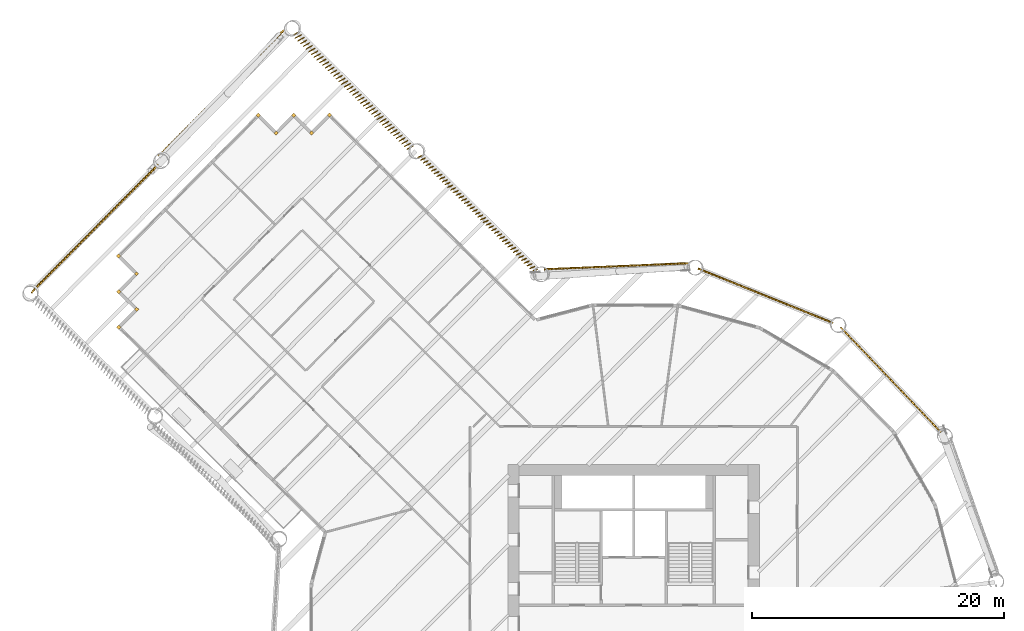
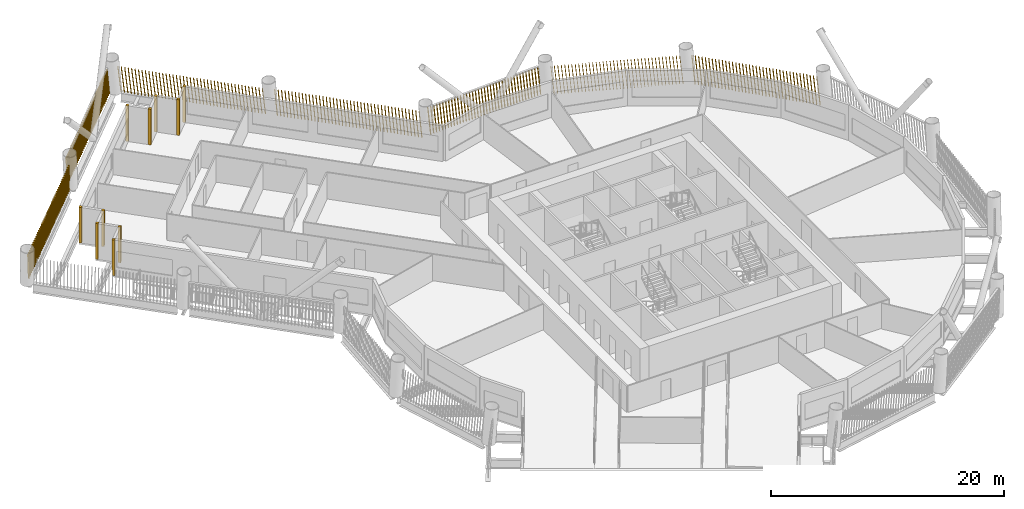
# One storey, part 21 of 22: 17 shading devices.
"""IFC4 building model written with IfcOpenShell, lengths in metres."""

from ifc_helpers import new_model, si_unit, direction, frame, frame_2d, origin, origin_2d, place, context, subcontext, project, spatial, rectangle, composite_profile, extrude, material, type_object, element, save


model = new_model("IFC4")

# Units and contexts
model_context = context("Model", 3, precision=1e-05, world=origin(), true_north=direction((0.0, 1.0)))
body_context = subcontext(model_context, "Body", "Model", "MODEL_VIEW")
ifc_project = project(units=[si_unit("LENGTHUNIT", "METRE"), si_unit("AREAUNIT", "SQUARE_METRE"), si_unit("VOLUMEUNIT", "CUBIC_METRE"), si_unit("PLANEANGLEUNIT", "RADIAN"), si_unit("MASSUNIT", "GRAM", prefix="KILO")], contexts=[model_context])

# Site, building, storey
site_placement = place(None, origin())
site = spatial("IfcSite", under=ifc_project, at=site_placement, CompositionType="ELEMENT")
building_placement = place(site_placement, origin())
building = spatial("IfcBuilding", under=site, at=building_placement, Name="Tarsis Ring Headquarters", CompositionType="ELEMENT")
storey_placement = place(building_placement, frame((0.0, 0.0, 79.0)))
storey = spatial("IfcBuildingStorey", under=building, at=storey_placement, Name="L17", CompositionType="ELEMENT", Elevation=79.0)

# Shading devices
ifc_material = material(Name="Terracotta baguette", Category="masonry")
shading_device_type_1 = type_object("IfcShadingDeviceType", Name="Terracotta baguette screen", PredefinedType="USERDEFINED", material=ifc_material)
shading_device_1_placement = place(storey_placement, frame((24.4111328125, 15.5576171875, 0.0), z_axis=(0.0, 0.0, 1.0), x_axis=(-0.691068909387, 0.722799782963, 0.0)))
element("IfcShadingDevice", 1, at=shading_device_1_placement, inside=storey, type_object=shading_device_type_1, Name="Baguette screen L17-12", ObjectType="Terracotta baguette screen", PredefinedType="USERDEFINED", context=body_context, shape_type="SweptSolid", body=[
    extrude(composite_profile([rectangle(XDim=0.06005859375, YDim=0.1201171875, at=frame_2d((0.030029296875, 0.0))), rectangle(XDim=0.06005859375, YDim=0.1201171875, at=frame_2d((0.33251953125, 0.0))), rectangle(XDim=0.06005859375, YDim=0.1201171875, at=frame_2d((0.634765625, 0.0))), rectangle(XDim=0.06005859375, YDim=0.1201171875, at=frame_2d((0.937255859375, 0.0))), rectangle(XDim=0.06005859375, YDim=0.1201171875, at=frame_2d((1.239501953125, 0.0))), rectangle(XDim=0.06005859375, YDim=0.1201171875, at=frame_2d((1.5419921875, 0.0))), rectangle(XDim=0.06005859375, YDim=0.1201171875, at=frame_2d((1.844482421875, 0.0))), rectangle(XDim=0.06005859375, YDim=0.1201171875, at=frame_2d((2.146728515625, 0.0))), rectangle(XDim=0.06005859375, YDim=0.1201171875, at=frame_2d((2.44921875, 0.0))), rectangle(XDim=0.06005859375, YDim=0.1201171875, at=frame_2d((2.751708984375, 0.0))), rectangle(XDim=0.06005859375, YDim=0.1201171875, at=frame_2d((3.053955078125, 0.0))), rectangle(XDim=0.06005859375, YDim=0.1201171875, at=frame_2d((3.3564453125, 0.0))), rectangle(XDim=0.06005859375, YDim=0.1201171875, at=frame_2d((3.65869140625, 0.0))), rectangle(XDim=0.06005859375, YDim=0.1201171875, at=frame_2d((3.961181640625, 0.0))), rectangle(XDim=0.06005859375, YDim=0.1201171875, at=frame_2d((4.263671875, 0.0))), rectangle(XDim=0.06005859375, YDim=0.1201171875, at=frame_2d((4.56591796875, 0.0))), rectangle(XDim=0.06005859375, YDim=0.1201171875, at=frame_2d((4.868408203125, 0.0))), rectangle(XDim=0.06005859375, YDim=0.1201171875, at=frame_2d((5.1708984375, 0.0))), rectangle(XDim=0.06005859375, YDim=0.1201171875, at=frame_2d((5.47314453125, 0.0))), rectangle(XDim=0.06005859375, YDim=0.1201171875, at=frame_2d((5.775634765625, 0.0))), rectangle(XDim=0.06005859375, YDim=0.1201171875, at=frame_2d((6.077880859375, 0.0))), rectangle(XDim=0.06005859375, YDim=0.1201171875, at=frame_2d((6.38037109375, 0.0))), rectangle(XDim=0.06005859375, YDim=0.1201171875, at=frame_2d((6.682861328125, 0.0))), rectangle(XDim=0.06005859375, YDim=0.1201171875, at=frame_2d((6.985107421875, 0.0))), rectangle(XDim=0.06005859375, YDim=0.1201171875, at=frame_2d((7.28759765625, 0.0))), rectangle(XDim=0.06005859375, YDim=0.1201171875, at=frame_2d((7.590087890625, 0.0))), rectangle(XDim=0.06005859375, YDim=0.1201171875, at=frame_2d((7.892333984375, 0.0))), rectangle(XDim=0.06005859375, YDim=0.1201171875, at=frame_2d((8.19482421875, 0.0))), rectangle(XDim=0.06005859375, YDim=0.1201171875, at=frame_2d((8.4970703125, 0.0))), rectangle(XDim=0.06005859375, YDim=0.1201171875, at=frame_2d((8.799560546875, 0.0))), rectangle(XDim=0.06005859375, YDim=0.1201171875, at=frame_2d((9.10205078125, 0.0))), rectangle(XDim=0.06005859375, YDim=0.1201171875, at=frame_2d((9.404296875, 0.0))), rectangle(XDim=0.06005859375, YDim=0.1201171875, at=frame_2d((9.706787109375, 0.0))), rectangle(XDim=0.06005859375, YDim=0.1201171875, at=frame_2d((10.00927734375, 0.0))), rectangle(XDim=0.06005859375, YDim=0.1201171875, at=frame_2d((10.3115234375, 0.0))), rectangle(XDim=0.06005859375, YDim=0.1201171875, at=frame_2d((10.614013671875, 0.0))), rectangle(XDim=0.06005859375, YDim=0.1201171875, at=frame_2d((10.916259765625, 0.0))), rectangle(XDim=0.06005859375, YDim=0.1201171875, at=frame_2d((11.21875, 0.0)))]), origin(), (0.100201292195, 0.000523435059, 0.994967048227), 2.967529296875),
])
shading_device_2_placement = place(storey_placement, frame((15.828369140625, 24.236572265625, 0.0), z_axis=(0.0, 0.0, 1.0), x_axis=(-0.927554475215, 0.373686951992, 0.0)))
element("IfcShadingDevice", 2, at=shading_device_2_placement, inside=storey, type_object=shading_device_type_1, Name="Baguette screen L17-13", ObjectType="Terracotta baguette screen", PredefinedType="USERDEFINED", context=body_context, shape_type="SweptSolid", body=[
    extrude(composite_profile([rectangle(XDim=0.06005859375, YDim=0.1201171875, at=frame_2d((0.030029296875, 0.0))), rectangle(XDim=0.06005859375, YDim=0.1201171875, at=frame_2d((0.33251953125, 0.0))), rectangle(XDim=0.06005859375, YDim=0.1201171875, at=frame_2d((0.634765625, 0.0))), rectangle(XDim=0.06005859375, YDim=0.1201171875, at=frame_2d((0.937255859375, 0.0))), rectangle(XDim=0.06005859375, YDim=0.1201171875, at=frame_2d((1.239501953125, 0.0))), rectangle(XDim=0.06005859375, YDim=0.1201171875, at=frame_2d((1.5419921875, 0.0))), rectangle(XDim=0.06005859375, YDim=0.1201171875, at=frame_2d((1.844482421875, 0.0))), rectangle(XDim=0.06005859375, YDim=0.1201171875, at=frame_2d((2.146728515625, 0.0))), rectangle(XDim=0.06005859375, YDim=0.1201171875, at=frame_2d((2.44921875, 0.0))), rectangle(XDim=0.06005859375, YDim=0.1201171875, at=frame_2d((2.751708984375, 0.0))), rectangle(XDim=0.06005859375, YDim=0.1201171875, at=frame_2d((3.053955078125, 0.0))), rectangle(XDim=0.06005859375, YDim=0.1201171875, at=frame_2d((3.3564453125, 0.0))), rectangle(XDim=0.06005859375, YDim=0.1201171875, at=frame_2d((3.65869140625, 0.0))), rectangle(XDim=0.06005859375, YDim=0.1201171875, at=frame_2d((3.961181640625, 0.0))), rectangle(XDim=0.06005859375, YDim=0.1201171875, at=frame_2d((4.263671875, 0.0))), rectangle(XDim=0.06005859375, YDim=0.1201171875, at=frame_2d((4.56591796875, 0.0))), rectangle(XDim=0.06005859375, YDim=0.1201171875, at=frame_2d((4.868408203125, 0.0))), rectangle(XDim=0.06005859375, YDim=0.1201171875, at=frame_2d((5.1708984375, 0.0))), rectangle(XDim=0.06005859375, YDim=0.1201171875, at=frame_2d((5.47314453125, 0.0))), rectangle(XDim=0.06005859375, YDim=0.1201171875, at=frame_2d((5.775634765625, 0.0))), rectangle(XDim=0.06005859375, YDim=0.1201171875, at=frame_2d((6.077880859375, 0.0))), rectangle(XDim=0.06005859375, YDim=0.1201171875, at=frame_2d((6.38037109375, 0.0))), rectangle(XDim=0.06005859375, YDim=0.1201171875, at=frame_2d((6.682861328125, 0.0))), rectangle(XDim=0.06005859375, YDim=0.1201171875, at=frame_2d((6.985107421875, 0.0))), rectangle(XDim=0.06005859375, YDim=0.1201171875, at=frame_2d((7.28759765625, 0.0))), rectangle(XDim=0.06005859375, YDim=0.1201171875, at=frame_2d((7.590087890625, 0.0))), rectangle(XDim=0.06005859375, YDim=0.1201171875, at=frame_2d((7.892333984375, 0.0))), rectangle(XDim=0.06005859375, YDim=0.1201171875, at=frame_2d((8.19482421875, 0.0))), rectangle(XDim=0.06005859375, YDim=0.1201171875, at=frame_2d((8.4970703125, 0.0))), rectangle(XDim=0.06005859375, YDim=0.1201171875, at=frame_2d((8.799560546875, 0.0))), rectangle(XDim=0.06005859375, YDim=0.1201171875, at=frame_2d((9.10205078125, 0.0))), rectangle(XDim=0.06005859375, YDim=0.1201171875, at=frame_2d((9.404296875, 0.0))), rectangle(XDim=0.06005859375, YDim=0.1201171875, at=frame_2d((9.706787109375, 0.0))), rectangle(XDim=0.06005859375, YDim=0.1201171875, at=frame_2d((10.00927734375, 0.0))), rectangle(XDim=0.06005859375, YDim=0.1201171875, at=frame_2d((10.3115234375, 0.0))), rectangle(XDim=0.06005859375, YDim=0.1201171875, at=frame_2d((10.614013671875, 0.0))), rectangle(XDim=0.06005859375, YDim=0.1201171875, at=frame_2d((10.916259765625, 0.0))), rectangle(XDim=0.06005859375, YDim=0.1201171875, at=frame_2d((11.21875, 0.0)))]), origin(), (0.100200495983, 0.000523406225, 0.994967128427), 2.967529296875),
])
shading_device_3_placement = place(storey_placement, frame((4.415283203125, 28.980712890625, 0.0), z_axis=(0.0, 0.0, 1.0), x_axis=(-0.999131850244, -0.041844818231, 0.0)))
element("IfcShadingDevice", 3, at=shading_device_3_placement, inside=storey, type_object=shading_device_type_1, Name="Baguette screen L17-14", ObjectType="Terracotta baguette screen", PredefinedType="USERDEFINED", context=body_context, shape_type="SweptSolid", body=[
    extrude(composite_profile([rectangle(XDim=0.06005859375, YDim=0.1201171875, at=frame_2d((0.030029296875, 0.0))), rectangle(XDim=0.06005859375, YDim=0.1201171875, at=frame_2d((0.33251953125, 0.0))), rectangle(XDim=0.06005859375, YDim=0.1201171875, at=frame_2d((0.634765625, 0.0))), rectangle(XDim=0.06005859375, YDim=0.1201171875, at=frame_2d((0.937255859375, 0.0))), rectangle(XDim=0.06005859375, YDim=0.1201171875, at=frame_2d((1.239501953125, 0.0))), rectangle(XDim=0.06005859375, YDim=0.1201171875, at=frame_2d((1.5419921875, 0.0))), rectangle(XDim=0.06005859375, YDim=0.1201171875, at=frame_2d((1.844482421875, 0.0))), rectangle(XDim=0.06005859375, YDim=0.1201171875, at=frame_2d((2.146728515625, 0.0))), rectangle(XDim=0.06005859375, YDim=0.1201171875, at=frame_2d((2.44921875, 0.0))), rectangle(XDim=0.06005859375, YDim=0.1201171875, at=frame_2d((2.751708984375, 0.0))), rectangle(XDim=0.06005859375, YDim=0.1201171875, at=frame_2d((3.053955078125, 0.0))), rectangle(XDim=0.06005859375, YDim=0.1201171875, at=frame_2d((3.3564453125, 0.0))), rectangle(XDim=0.06005859375, YDim=0.1201171875, at=frame_2d((3.65869140625, 0.0))), rectangle(XDim=0.06005859375, YDim=0.1201171875, at=frame_2d((3.961181640625, 0.0))), rectangle(XDim=0.06005859375, YDim=0.1201171875, at=frame_2d((4.263671875, 0.0))), rectangle(XDim=0.06005859375, YDim=0.1201171875, at=frame_2d((4.56591796875, 0.0))), rectangle(XDim=0.06005859375, YDim=0.1201171875, at=frame_2d((4.868408203125, 0.0))), rectangle(XDim=0.06005859375, YDim=0.1201171875, at=frame_2d((5.1708984375, 0.0))), rectangle(XDim=0.06005859375, YDim=0.1201171875, at=frame_2d((5.47314453125, 0.0))), rectangle(XDim=0.06005859375, YDim=0.1201171875, at=frame_2d((5.775634765625, 0.0))), rectangle(XDim=0.06005859375, YDim=0.1201171875, at=frame_2d((6.077880859375, 0.0))), rectangle(XDim=0.06005859375, YDim=0.1201171875, at=frame_2d((6.38037109375, 0.0))), rectangle(XDim=0.06005859375, YDim=0.1201171875, at=frame_2d((6.682861328125, 0.0))), rectangle(XDim=0.06005859375, YDim=0.1201171875, at=frame_2d((6.985107421875, 0.0))), rectangle(XDim=0.06005859375, YDim=0.1201171875, at=frame_2d((7.28759765625, 0.0))), rectangle(XDim=0.06005859375, YDim=0.1201171875, at=frame_2d((7.590087890625, 0.0))), rectangle(XDim=0.06005859375, YDim=0.1201171875, at=frame_2d((7.892333984375, 0.0))), rectangle(XDim=0.06005859375, YDim=0.1201171875, at=frame_2d((8.19482421875, 0.0))), rectangle(XDim=0.06005859375, YDim=0.1201171875, at=frame_2d((8.4970703125, 0.0))), rectangle(XDim=0.06005859375, YDim=0.1201171875, at=frame_2d((8.799560546875, 0.0))), rectangle(XDim=0.06005859375, YDim=0.1201171875, at=frame_2d((9.10205078125, 0.0))), rectangle(XDim=0.06005859375, YDim=0.1201171875, at=frame_2d((9.404296875, 0.0))), rectangle(XDim=0.06005859375, YDim=0.1201171875, at=frame_2d((9.706787109375, 0.0))), rectangle(XDim=0.06005859375, YDim=0.1201171875, at=frame_2d((10.00927734375, 0.0))), rectangle(XDim=0.06005859375, YDim=0.1201171875, at=frame_2d((10.3115234375, 0.0))), rectangle(XDim=0.06005859375, YDim=0.1201171875, at=frame_2d((10.614013671875, 0.0))), rectangle(XDim=0.06005859375, YDim=0.1201171875, at=frame_2d((10.916259765625, 0.0))), rectangle(XDim=0.06005859375, YDim=0.1201171875, at=frame_2d((11.21875, 0.0)))]), origin(), (0.10151095223, 0.000532192016, 0.99483427934), 2.968017578125),
])
shading_device_4_placement = place(storey_placement, frame((-7.662353515625, 28.466552734375, 0.0), z_axis=(0.0, 0.0, 1.0), x_axis=(-0.70956327581, 0.704643505904, 0.0)))
element("IfcShadingDevice", 4, at=shading_device_4_placement, inside=storey, type_object=shading_device_type_1, Name="Baguette screen L17-15", ObjectType="Terracotta baguette screen", PredefinedType="USERDEFINED", context=body_context, shape_type="SweptSolid", body=[
    extrude(composite_profile([rectangle(XDim=0.06005859375, YDim=0.1201171875, at=frame_2d((0.030029296875, 0.0))), rectangle(XDim=0.06005859375, YDim=0.1201171875, at=frame_2d((0.335693359375, 0.0))), rectangle(XDim=0.06005859375, YDim=0.1201171875, at=frame_2d((0.6416015625, 0.0))), rectangle(XDim=0.06005859375, YDim=0.1201171875, at=frame_2d((0.947265625, 0.0))), rectangle(XDim=0.06005859375, YDim=0.1201171875, at=frame_2d((1.253173828125, 0.0))), rectangle(XDim=0.06005859375, YDim=0.1201171875, at=frame_2d((1.558837890625, 0.0))), rectangle(XDim=0.06005859375, YDim=0.1201171875, at=frame_2d((1.864501953125, 0.0))), rectangle(XDim=0.06005859375, YDim=0.1201171875, at=frame_2d((2.17041015625, 0.0))), rectangle(XDim=0.06005859375, YDim=0.1201171875, at=frame_2d((2.47607421875, 0.0))), rectangle(XDim=0.06005859375, YDim=0.1201171875, at=frame_2d((2.781982421875, 0.0))), rectangle(XDim=0.06005859375, YDim=0.1201171875, at=frame_2d((3.087646484375, 0.0))), rectangle(XDim=0.06005859375, YDim=0.1201171875, at=frame_2d((3.393310546875, 0.0))), rectangle(XDim=0.06005859375, YDim=0.1201171875, at=frame_2d((3.69921875, 0.0))), rectangle(XDim=0.06005859375, YDim=0.1201171875, at=frame_2d((4.0048828125, 0.0))), rectangle(XDim=0.06005859375, YDim=0.1201171875, at=frame_2d((4.310791015625, 0.0))), rectangle(XDim=0.06005859375, YDim=0.1201171875, at=frame_2d((4.616455078125, 0.0))), rectangle(XDim=0.06005859375, YDim=0.1201171875, at=frame_2d((4.922119140625, 0.0))), rectangle(XDim=0.06005859375, YDim=0.1201171875, at=frame_2d((5.22802734375, 0.0))), rectangle(XDim=0.06005859375, YDim=0.1201171875, at=frame_2d((5.53369140625, 0.0))), rectangle(XDim=0.06005859375, YDim=0.1201171875, at=frame_2d((5.839599609375, 0.0))), rectangle(XDim=0.06005859375, YDim=0.1201171875, at=frame_2d((6.145263671875, 0.0))), rectangle(XDim=0.06005859375, YDim=0.1201171875, at=frame_2d((6.451171875, 0.0))), rectangle(XDim=0.06005859375, YDim=0.1201171875, at=frame_2d((6.7568359375, 0.0))), rectangle(XDim=0.06005859375, YDim=0.1201171875, at=frame_2d((7.0625, 0.0))), rectangle(XDim=0.06005859375, YDim=0.1201171875, at=frame_2d((7.368408203125, 0.0))), rectangle(XDim=0.06005859375, YDim=0.1201171875, at=frame_2d((7.674072265625, 0.0))), rectangle(XDim=0.06005859375, YDim=0.1201171875, at=frame_2d((7.97998046875, 0.0))), rectangle(XDim=0.06005859375, YDim=0.1201171875, at=frame_2d((8.28564453125, 0.0))), rectangle(XDim=0.06005859375, YDim=0.1201171875, at=frame_2d((8.59130859375, 0.0))), rectangle(XDim=0.06005859375, YDim=0.1201171875, at=frame_2d((8.897216796875, 0.0))), rectangle(XDim=0.06005859375, YDim=0.1201171875, at=frame_2d((9.202880859375, 0.0))), rectangle(XDim=0.06005859375, YDim=0.1201171875, at=frame_2d((9.5087890625, 0.0))), rectangle(XDim=0.06005859375, YDim=0.1201171875, at=frame_2d((9.814453125, 0.0))), rectangle(XDim=0.06005859375, YDim=0.1201171875, at=frame_2d((10.1201171875, 0.0))), rectangle(XDim=0.06005859375, YDim=0.1201171875, at=frame_2d((10.426025390625, 0.0))), rectangle(XDim=0.06005859375, YDim=0.1201171875, at=frame_2d((10.731689453125, 0.0))), rectangle(XDim=0.06005859375, YDim=0.1201171875, at=frame_2d((11.03759765625, 0.0))), rectangle(XDim=0.06005859375, YDim=0.1201171875, at=frame_2d((11.34326171875, 0.0))), rectangle(XDim=0.06005859375, YDim=0.1201171875, at=frame_2d((11.64892578125, 0.0))), rectangle(XDim=0.06005859375, YDim=0.1201171875, at=frame_2d((11.954833984375, 0.0))), rectangle(XDim=0.06005859375, YDim=0.1201171875, at=frame_2d((12.260498046875, 0.0))), rectangle(XDim=0.06005859375, YDim=0.1201171875, at=frame_2d((12.56640625, 0.0))), rectangle(XDim=0.06005859375, YDim=0.1201171875, at=frame_2d((12.8720703125, 0.0)))]), origin(), (0.051495221687, 0.112701684924, 0.992293591816), 2.9755859375),
])
shading_device_5_placement = place(storey_placement, frame((-17.52685546875, 38.2626953125, 0.0), z_axis=(0.0, 0.0, 1.0), x_axis=(-0.709576702556, 0.704637917006, 0.0)))
element("IfcShadingDevice", 5, at=shading_device_5_placement, inside=storey, type_object=shading_device_type_1, Name="Baguette screen L17-16", ObjectType="Terracotta baguette screen", PredefinedType="USERDEFINED", context=body_context, shape_type="SweptSolid", body=[
    extrude(composite_profile([rectangle(XDim=0.06005859375, YDim=0.1201171875, at=frame_2d((0.030029296875, 0.0))), rectangle(XDim=0.06005859375, YDim=0.1201171875, at=frame_2d((0.335693359375, 0.0))), rectangle(XDim=0.06005859375, YDim=0.1201171875, at=frame_2d((0.6416015625, 0.0))), rectangle(XDim=0.06005859375, YDim=0.1201171875, at=frame_2d((0.947265625, 0.0))), rectangle(XDim=0.06005859375, YDim=0.1201171875, at=frame_2d((1.253173828125, 0.0))), rectangle(XDim=0.06005859375, YDim=0.1201171875, at=frame_2d((1.558837890625, 0.0))), rectangle(XDim=0.06005859375, YDim=0.1201171875, at=frame_2d((1.864501953125, 0.0))), rectangle(XDim=0.06005859375, YDim=0.1201171875, at=frame_2d((2.17041015625, 0.0))), rectangle(XDim=0.06005859375, YDim=0.1201171875, at=frame_2d((2.47607421875, 0.0))), rectangle(XDim=0.06005859375, YDim=0.1201171875, at=frame_2d((2.781982421875, 0.0))), rectangle(XDim=0.06005859375, YDim=0.1201171875, at=frame_2d((3.087646484375, 0.0))), rectangle(XDim=0.06005859375, YDim=0.1201171875, at=frame_2d((3.393310546875, 0.0))), rectangle(XDim=0.06005859375, YDim=0.1201171875, at=frame_2d((3.69921875, 0.0))), rectangle(XDim=0.06005859375, YDim=0.1201171875, at=frame_2d((4.0048828125, 0.0))), rectangle(XDim=0.06005859375, YDim=0.1201171875, at=frame_2d((4.310791015625, 0.0))), rectangle(XDim=0.06005859375, YDim=0.1201171875, at=frame_2d((4.616455078125, 0.0))), rectangle(XDim=0.06005859375, YDim=0.1201171875, at=frame_2d((4.922119140625, 0.0))), rectangle(XDim=0.06005859375, YDim=0.1201171875, at=frame_2d((5.22802734375, 0.0))), rectangle(XDim=0.06005859375, YDim=0.1201171875, at=frame_2d((5.53369140625, 0.0))), rectangle(XDim=0.06005859375, YDim=0.1201171875, at=frame_2d((5.839599609375, 0.0))), rectangle(XDim=0.06005859375, YDim=0.1201171875, at=frame_2d((6.145263671875, 0.0))), rectangle(XDim=0.06005859375, YDim=0.1201171875, at=frame_2d((6.451171875, 0.0))), rectangle(XDim=0.06005859375, YDim=0.1201171875, at=frame_2d((6.7568359375, 0.0))), rectangle(XDim=0.06005859375, YDim=0.1201171875, at=frame_2d((7.0625, 0.0))), rectangle(XDim=0.06005859375, YDim=0.1201171875, at=frame_2d((7.368408203125, 0.0))), rectangle(XDim=0.06005859375, YDim=0.1201171875, at=frame_2d((7.674072265625, 0.0))), rectangle(XDim=0.06005859375, YDim=0.1201171875, at=frame_2d((7.97998046875, 0.0))), rectangle(XDim=0.06005859375, YDim=0.1201171875, at=frame_2d((8.28564453125, 0.0))), rectangle(XDim=0.06005859375, YDim=0.1201171875, at=frame_2d((8.59130859375, 0.0))), rectangle(XDim=0.06005859375, YDim=0.1201171875, at=frame_2d((8.897216796875, 0.0))), rectangle(XDim=0.06005859375, YDim=0.1201171875, at=frame_2d((9.202880859375, 0.0))), rectangle(XDim=0.06005859375, YDim=0.1201171875, at=frame_2d((9.5087890625, 0.0))), rectangle(XDim=0.06005859375, YDim=0.1201171875, at=frame_2d((9.814453125, 0.0))), rectangle(XDim=0.06005859375, YDim=0.1201171875, at=frame_2d((10.1201171875, 0.0))), rectangle(XDim=0.06005859375, YDim=0.1201171875, at=frame_2d((10.426025390625, 0.0))), rectangle(XDim=0.06005859375, YDim=0.1201171875, at=frame_2d((10.731689453125, 0.0))), rectangle(XDim=0.06005859375, YDim=0.1201171875, at=frame_2d((11.03759765625, 0.0))), rectangle(XDim=0.06005859375, YDim=0.1201171875, at=frame_2d((11.34326171875, 0.0))), rectangle(XDim=0.06005859375, YDim=0.1201171875, at=frame_2d((11.64892578125, 0.0))), rectangle(XDim=0.06005859375, YDim=0.1201171875, at=frame_2d((11.954833984375, 0.0))), rectangle(XDim=0.06005859375, YDim=0.1201171875, at=frame_2d((12.260498046875, 0.0))), rectangle(XDim=0.06005859375, YDim=0.1201171875, at=frame_2d((12.56640625, 0.0))), rectangle(XDim=0.06005859375, YDim=0.1201171875, at=frame_2d((12.8720703125, 0.0)))]), origin(), (0.050900816045, 0.160555713083, 0.985713431948), 2.995361328125),
])
shading_device_6_placement = place(storey_placement, frame((-27.6552734375, 47.61572265625, 0.0), z_axis=(0.0, 0.0, 1.0), x_axis=(-0.704638737527, -0.709574693935, 0.0)))
element("IfcShadingDevice", 6, at=shading_device_6_placement, inside=storey, type_object=shading_device_type_1, Name="Baguette screen L17-17", ObjectType="Terracotta baguette screen", PredefinedType="USERDEFINED", context=body_context, shape_type="SweptSolid", body=[
    extrude(composite_profile([rectangle(XDim=0.06005859375, YDim=0.1201171875, at=frame_2d((0.030029296875, 0.0))), rectangle(XDim=0.06005859375, YDim=0.1201171875, at=frame_2d((0.33544921875, 0.0))), rectangle(XDim=0.06005859375, YDim=0.1201171875, at=frame_2d((0.640625, 0.0))), rectangle(XDim=0.06005859375, YDim=0.1201171875, at=frame_2d((0.946044921875, 0.0))), rectangle(XDim=0.06005859375, YDim=0.1201171875, at=frame_2d((1.25146484375, 0.0))), rectangle(XDim=0.06005859375, YDim=0.1201171875, at=frame_2d((1.556640625, 0.0))), rectangle(XDim=0.06005859375, YDim=0.1201171875, at=frame_2d((1.862060546875, 0.0))), rectangle(XDim=0.06005859375, YDim=0.1201171875, at=frame_2d((2.16748046875, 0.0))), rectangle(XDim=0.06005859375, YDim=0.1201171875, at=frame_2d((2.47265625, 0.0))), rectangle(XDim=0.06005859375, YDim=0.1201171875, at=frame_2d((2.778076171875, 0.0))), rectangle(XDim=0.06005859375, YDim=0.1201171875, at=frame_2d((3.08349609375, 0.0))), rectangle(XDim=0.06005859375, YDim=0.1201171875, at=frame_2d((3.388671875, 0.0))), rectangle(XDim=0.06005859375, YDim=0.1201171875, at=frame_2d((3.694091796875, 0.0))), rectangle(XDim=0.06005859375, YDim=0.1201171875, at=frame_2d((3.99951171875, 0.0))), rectangle(XDim=0.06005859375, YDim=0.1201171875, at=frame_2d((4.3046875, 0.0))), rectangle(XDim=0.06005859375, YDim=0.1201171875, at=frame_2d((4.610107421875, 0.0))), rectangle(XDim=0.06005859375, YDim=0.1201171875, at=frame_2d((4.91552734375, 0.0))), rectangle(XDim=0.06005859375, YDim=0.1201171875, at=frame_2d((5.220703125, 0.0))), rectangle(XDim=0.06005859375, YDim=0.1201171875, at=frame_2d((5.526123046875, 0.0))), rectangle(XDim=0.06005859375, YDim=0.1201171875, at=frame_2d((5.83154296875, 0.0))), rectangle(XDim=0.06005859375, YDim=0.1201171875, at=frame_2d((6.13671875, 0.0))), rectangle(XDim=0.06005859375, YDim=0.1201171875, at=frame_2d((6.442138671875, 0.0))), rectangle(XDim=0.06005859375, YDim=0.1201171875, at=frame_2d((6.74755859375, 0.0))), rectangle(XDim=0.06005859375, YDim=0.1201171875, at=frame_2d((7.052734375, 0.0))), rectangle(XDim=0.06005859375, YDim=0.1201171875, at=frame_2d((7.358154296875, 0.0))), rectangle(XDim=0.06005859375, YDim=0.1201171875, at=frame_2d((7.66357421875, 0.0))), rectangle(XDim=0.06005859375, YDim=0.1201171875, at=frame_2d((7.96875, 0.0))), rectangle(XDim=0.06005859375, YDim=0.1201171875, at=frame_2d((8.274169921875, 0.0))), rectangle(XDim=0.06005859375, YDim=0.1201171875, at=frame_2d((8.57958984375, 0.0))), rectangle(XDim=0.06005859375, YDim=0.1201171875, at=frame_2d((8.884765625, 0.0))), rectangle(XDim=0.06005859375, YDim=0.1201171875, at=frame_2d((9.190185546875, 0.0))), rectangle(XDim=0.06005859375, YDim=0.1201171875, at=frame_2d((9.49560546875, 0.0))), rectangle(XDim=0.06005859375, YDim=0.1201171875, at=frame_2d((9.80078125, 0.0))), rectangle(XDim=0.06005859375, YDim=0.1201171875, at=frame_2d((10.106201171875, 0.0))), rectangle(XDim=0.06005859375, YDim=0.1201171875, at=frame_2d((10.41162109375, 0.0))), rectangle(XDim=0.06005859375, YDim=0.1201171875, at=frame_2d((10.716796875, 0.0))), rectangle(XDim=0.06005859375, YDim=0.1201171875, at=frame_2d((11.022216796875, 0.0))), rectangle(XDim=0.06005859375, YDim=0.1201171875, at=frame_2d((11.32763671875, 0.0))), rectangle(XDim=0.06005859375, YDim=0.1201171875, at=frame_2d((11.6328125, 0.0))), rectangle(XDim=0.06005859375, YDim=0.1201171875, at=frame_2d((11.938232421875, 0.0))), rectangle(XDim=0.06005859375, YDim=0.1201171875, at=frame_2d((12.24365234375, 0.0))), rectangle(XDim=0.06005859375, YDim=0.1201171875, at=frame_2d((12.548828125, 0.0))), rectangle(XDim=0.06005859375, YDim=0.1201171875, at=frame_2d((12.854248046875, 0.0))), rectangle(XDim=0.06005859375, YDim=0.1201171875, at=frame_2d((13.15966796875, 0.0))), rectangle(XDim=0.06005859375, YDim=0.1201171875, at=frame_2d((13.46484375, 0.0))), rectangle(XDim=0.06005859375, YDim=0.1201171875, at=frame_2d((13.770263671875, 0.0)))]), origin(), (0.185397180693, -0.024811733001, 0.982350377053), 3.005615234375),
])
shading_device_7_placement = place(storey_placement, frame((-37.817626953125, 36.849853515625, 0.0), z_axis=(0.0, 0.0, 1.0), x_axis=(-0.704638737527, -0.709574693935, 0.0)))
element("IfcShadingDevice", 7, at=shading_device_7_placement, inside=storey, type_object=shading_device_type_1, Name="Baguette screen L17-18", ObjectType="Terracotta baguette screen", PredefinedType="USERDEFINED", context=body_context, shape_type="SweptSolid", body=[
    extrude(composite_profile([rectangle(XDim=0.06005859375, YDim=0.1201171875, at=frame_2d((0.030029296875, 0.0))), rectangle(XDim=0.06005859375, YDim=0.1201171875, at=frame_2d((0.33544921875, 0.0))), rectangle(XDim=0.06005859375, YDim=0.1201171875, at=frame_2d((0.640625, 0.0))), rectangle(XDim=0.06005859375, YDim=0.1201171875, at=frame_2d((0.946044921875, 0.0))), rectangle(XDim=0.06005859375, YDim=0.1201171875, at=frame_2d((1.25146484375, 0.0))), rectangle(XDim=0.06005859375, YDim=0.1201171875, at=frame_2d((1.556640625, 0.0))), rectangle(XDim=0.06005859375, YDim=0.1201171875, at=frame_2d((1.862060546875, 0.0))), rectangle(XDim=0.06005859375, YDim=0.1201171875, at=frame_2d((2.16748046875, 0.0))), rectangle(XDim=0.06005859375, YDim=0.1201171875, at=frame_2d((2.47265625, 0.0))), rectangle(XDim=0.06005859375, YDim=0.1201171875, at=frame_2d((2.778076171875, 0.0))), rectangle(XDim=0.06005859375, YDim=0.1201171875, at=frame_2d((3.08349609375, 0.0))), rectangle(XDim=0.06005859375, YDim=0.1201171875, at=frame_2d((3.388671875, 0.0))), rectangle(XDim=0.06005859375, YDim=0.1201171875, at=frame_2d((3.694091796875, 0.0))), rectangle(XDim=0.06005859375, YDim=0.1201171875, at=frame_2d((3.99951171875, 0.0))), rectangle(XDim=0.06005859375, YDim=0.1201171875, at=frame_2d((4.3046875, 0.0))), rectangle(XDim=0.06005859375, YDim=0.1201171875, at=frame_2d((4.610107421875, 0.0))), rectangle(XDim=0.06005859375, YDim=0.1201171875, at=frame_2d((4.91552734375, 0.0))), rectangle(XDim=0.06005859375, YDim=0.1201171875, at=frame_2d((5.220703125, 0.0))), rectangle(XDim=0.06005859375, YDim=0.1201171875, at=frame_2d((5.526123046875, 0.0))), rectangle(XDim=0.06005859375, YDim=0.1201171875, at=frame_2d((5.83154296875, 0.0))), rectangle(XDim=0.06005859375, YDim=0.1201171875, at=frame_2d((6.13671875, 0.0))), rectangle(XDim=0.06005859375, YDim=0.1201171875, at=frame_2d((6.442138671875, 0.0))), rectangle(XDim=0.06005859375, YDim=0.1201171875, at=frame_2d((6.74755859375, 0.0))), rectangle(XDim=0.06005859375, YDim=0.1201171875, at=frame_2d((7.052734375, 0.0))), rectangle(XDim=0.06005859375, YDim=0.1201171875, at=frame_2d((7.358154296875, 0.0))), rectangle(XDim=0.06005859375, YDim=0.1201171875, at=frame_2d((7.66357421875, 0.0))), rectangle(XDim=0.06005859375, YDim=0.1201171875, at=frame_2d((7.96875, 0.0))), rectangle(XDim=0.06005859375, YDim=0.1201171875, at=frame_2d((8.274169921875, 0.0))), rectangle(XDim=0.06005859375, YDim=0.1201171875, at=frame_2d((8.57958984375, 0.0))), rectangle(XDim=0.06005859375, YDim=0.1201171875, at=frame_2d((8.884765625, 0.0))), rectangle(XDim=0.06005859375, YDim=0.1201171875, at=frame_2d((9.190185546875, 0.0))), rectangle(XDim=0.06005859375, YDim=0.1201171875, at=frame_2d((9.49560546875, 0.0))), rectangle(XDim=0.06005859375, YDim=0.1201171875, at=frame_2d((9.80078125, 0.0))), rectangle(XDim=0.06005859375, YDim=0.1201171875, at=frame_2d((10.106201171875, 0.0))), rectangle(XDim=0.06005859375, YDim=0.1201171875, at=frame_2d((10.41162109375, 0.0))), rectangle(XDim=0.06005859375, YDim=0.1201171875, at=frame_2d((10.716796875, 0.0))), rectangle(XDim=0.06005859375, YDim=0.1201171875, at=frame_2d((11.022216796875, 0.0))), rectangle(XDim=0.06005859375, YDim=0.1201171875, at=frame_2d((11.32763671875, 0.0))), rectangle(XDim=0.06005859375, YDim=0.1201171875, at=frame_2d((11.6328125, 0.0))), rectangle(XDim=0.06005859375, YDim=0.1201171875, at=frame_2d((11.938232421875, 0.0))), rectangle(XDim=0.06005859375, YDim=0.1201171875, at=frame_2d((12.24365234375, 0.0))), rectangle(XDim=0.06005859375, YDim=0.1201171875, at=frame_2d((12.548828125, 0.0))), rectangle(XDim=0.06005859375, YDim=0.1201171875, at=frame_2d((12.854248046875, 0.0))), rectangle(XDim=0.06005859375, YDim=0.1201171875, at=frame_2d((13.15966796875, 0.0))), rectangle(XDim=0.06005859375, YDim=0.1201171875, at=frame_2d((13.46484375, 0.0))), rectangle(XDim=0.06005859375, YDim=0.1201171875, at=frame_2d((13.770263671875, 0.0)))]), origin(), (0.18386503511, 0.026751164001, 0.98258741295), 3.0048828125),
])
shading_device_type_2 = type_object("IfcShadingDeviceType", Name="Terracotta corner baguette 250x250", PredefinedType="USERDEFINED", material=ifc_material)
for number, where, z_axis, x_axis, name in (
    (8, (-40.919189453125, 23.89892578125, 0.0), (0.0, 0.0, 1.0), (-0.704634222348, -0.709570724238, 0.0), "Corner baguette L17-01"),
    (9, (-24.18408203125, 40.751220703125, 0.0), (0.0, 0.0, 1.0), (-0.709570761133, 0.704634185195, 0.0), "Corner baguette L17-32"),
    (10, (-25.59326171875, 39.33203125, 0.0), (0.0, 0.0, 1.0), (-0.704634222348, -0.709570724238, 0.0), "Corner baguette L17-33"),
    (11, (-27.012451171875, 40.741455078125, 0.0), (0.0, 0.0, 1.0), (-0.709570724238, 0.704634222348, 0.0), "Corner baguette L17-34"),
    (12, (-28.421630859375, 39.322265625, 0.0), (0.0, 0.0, 1.0), (-0.704634222348, -0.709570724238, 0.0), "Corner baguette L17-35"),
    (13, (-29.8408203125, 40.7314453125, 0.0), (0.0, 0.0, 1.0), (-0.709570724238, 0.704634222348, 0.0), "Corner baguette L17-36"),
    (14, (-40.938720703125, 29.5556640625, 0.0), (0.0, 0.0, 1.0), (-0.704634259501, -0.709570687344, 0.0), "Corner baguette L17-37"),
    (15, (-39.519775390625, 28.146484375, 0.0), (0.0, 0.0, 1.0), (0.709570724238, -0.704634222348, 0.0), "Corner baguette L17-38"),
    (16, (-40.928955078125, 26.727294921875, 0.0), (0.0, 0.0, 1.0), (-0.704633974661, -0.709570970202, 0.0), "Corner baguette L17-39"),
    (17, (-39.509765625, 25.318115234375, 0.0), (0.0, 0.0, 1.0), (0.709570724238, -0.704634222348, 0.0), "Corner baguette L17-40"),
):
    element("IfcShadingDevice", number, at=place(storey_placement, frame(where, z_axis=z_axis, x_axis=x_axis)), inside=storey, type_object=shading_device_type_2, Name=name, ObjectType="Terracotta corner baguette", PredefinedType="USERDEFINED", context=body_context, shape_type="SweptSolid", body=[
        extrude(rectangle(XDim=0.25, YDim=0.25, at=origin_2d()), origin(), (0.0, 0.0, 1.0), 3.739990234375),
    ])

save(model, "model.ifc")
